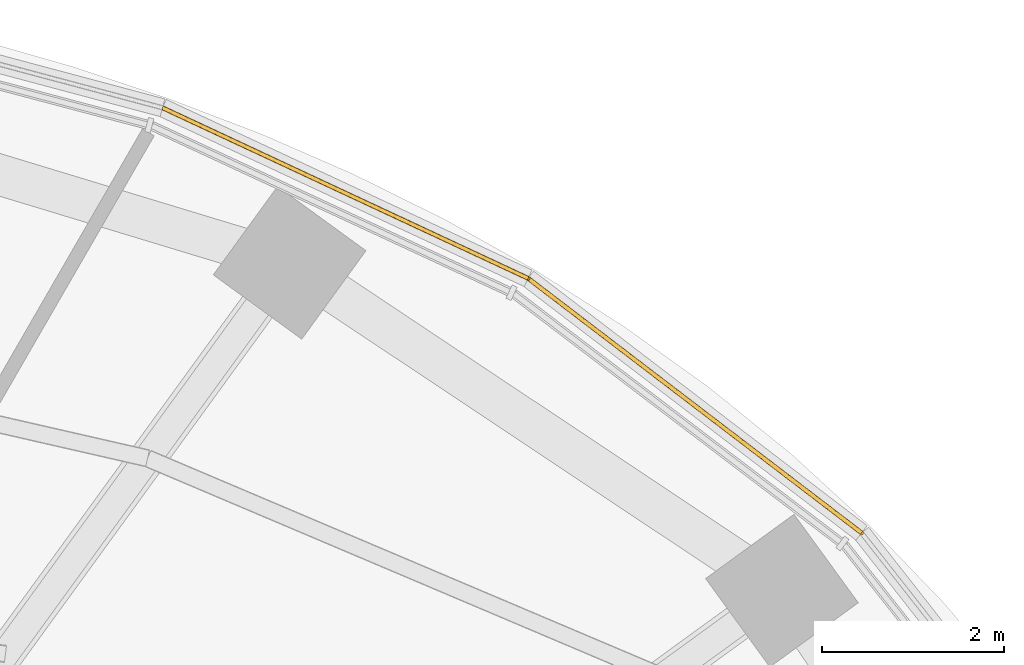
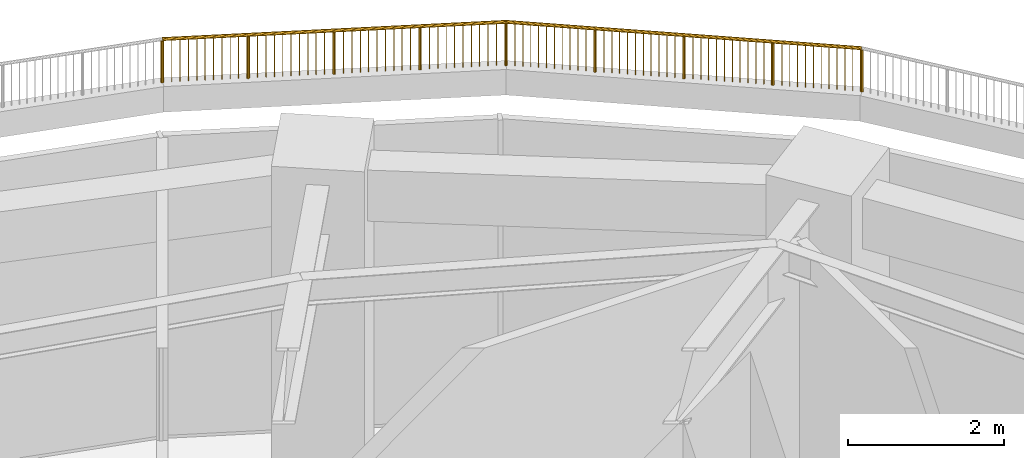
# One storey, part 19 of 19: 2 railings.
"""IFC4 building model written with IfcOpenShell, lengths in metres."""

from ifc_helpers import new_model, si_unit, direction, frame, origin, origin_2d, place, context, subcontext, project, spatial, circle, extrude, material, type_object, element, save


model = new_model("IFC4")

# Units and contexts
model_context = context("Model", 3, precision=1e-05, world=origin(), true_north=direction((0.0, 1.0)))
body_context = subcontext(model_context, "Body", "Model", "MODEL_VIEW")
ifc_project = project(units=[si_unit("LENGTHUNIT", "METRE"), si_unit("AREAUNIT", "SQUARE_METRE"), si_unit("VOLUMEUNIT", "CUBIC_METRE"), si_unit("PLANEANGLEUNIT", "RADIAN"), si_unit("MASSUNIT", "GRAM", prefix="KILO")], contexts=[model_context])

# Site, building, storey
site_placement = place(None, origin())
site = spatial("IfcSite", under=ifc_project, at=site_placement, CompositionType="ELEMENT")
building_placement = place(site_placement, origin())
building = spatial("IfcBuilding", under=site, at=building_placement, Name="Marramba Exchange Tower", CompositionType="ELEMENT")
storey_placement = place(building_placement, frame((0.0, 0.0, 277.0)))
storey = spatial("IfcBuildingStorey", under=building, at=storey_placement, Name="L67", CompositionType="ELEMENT", Elevation=277.0)

# Railings
ifc_material = material(Name="Galvanised steel guardrail", Category="steel")
railing_type = type_object("IfcRailingType", Name="Roof guardrail 1100", PredefinedType="GUARDRAIL", material=ifc_material)
railing_1_placement = place(storey_placement, frame((17.859375, 12.9755859375, 5.39990234375)))
element("IfcRailing", 1, at=railing_1_placement, inside=storey, type_object=railing_type, Name="Roof guard Roof crown F04", PredefinedType="GUARDRAIL", context=body_context, shape_type="SweptSolid", body=[
    extrude(circle(Radius=0.02392578125, at=origin_2d()), frame((0.0, 0.0, 0.67578125), z_axis=(-0.794855686591, 0.606798514743, 0.0), x_axis=(-0.606798514743, -0.794855686591, 0.0)), (0.0, 0.0, 1.0), 4.604736328125),
    extrude(circle(Radius=0.02099609375, at=origin_2d()), origin(), (0.0, 0.0, 1.0), 0.65185546875),
    extrude(circle(Radius=0.02099609375, at=origin_2d()), frame((-0.9150390625, 0.698486328125, 0.0)), (0.0, 0.0, 1.0), 0.65185546875),
    extrude(circle(Radius=0.02099609375, at=origin_2d()), frame((-1.830078125, 1.39697265625, 0.0)), (0.0, 0.0, 1.0), 0.65185546875),
    extrude(circle(Radius=0.02099609375, at=origin_2d()), frame((-2.7451171875, 2.095703125, 0.0)), (0.0, 0.0, 1.0), 0.65185546875),
    extrude(circle(Radius=0.02099609375, at=origin_2d()), frame((-3.66015625, 2.794189453125, 0.0)), (0.0, 0.0, 1.0), 0.65185546875),
    extrude(circle(Radius=0.006103515625, at=origin_2d()), frame((-0.093017578125, 0.071044921875, 0.0)), (0.0, 0.0, 1.0), 0.65185546875),
    extrude(circle(Radius=0.006103515625, at=origin_2d()), frame((-0.174072265625, 0.1328125, 0.0)), (0.0, 0.0, 1.0), 0.65185546875),
    extrude(circle(Radius=0.006103515625, at=origin_2d()), frame((-0.2548828125, 0.194580078125, 0.0)), (0.0, 0.0, 1.0), 0.65185546875),
    extrude(circle(Radius=0.006103515625, at=origin_2d()), frame((-0.3359375, 0.256591796875, 0.0)), (0.0, 0.0, 1.0), 0.65185546875),
    extrude(circle(Radius=0.006103515625, at=origin_2d()), frame((-0.4169921875, 0.318359375, 0.0)), (0.0, 0.0, 1.0), 0.65185546875),
    extrude(circle(Radius=0.006103515625, at=origin_2d()), frame((-0.498046875, 0.380126953125, 0.0)), (0.0, 0.0, 1.0), 0.65185546875),
    extrude(circle(Radius=0.006103515625, at=origin_2d()), frame((-0.5791015625, 0.442138671875, 0.0)), (0.0, 0.0, 1.0), 0.65185546875),
    extrude(circle(Radius=0.006103515625, at=origin_2d()), frame((-0.66015625, 0.50390625, 0.0)), (0.0, 0.0, 1.0), 0.65185546875),
    extrude(circle(Radius=0.006103515625, at=origin_2d()), frame((-0.740966796875, 0.565673828125, 0.0)), (0.0, 0.0, 1.0), 0.65185546875),
    extrude(circle(Radius=0.006103515625, at=origin_2d()), frame((-0.822021484375, 0.627685546875, 0.0)), (0.0, 0.0, 1.0), 0.65185546875),
    extrude(circle(Radius=0.006103515625, at=origin_2d()), frame((-1.008056640625, 0.76953125, 0.0)), (0.0, 0.0, 1.0), 0.65185546875),
    extrude(circle(Radius=0.006103515625, at=origin_2d()), frame((-1.089111328125, 0.831298828125, 0.0)), (0.0, 0.0, 1.0), 0.65185546875),
    extrude(circle(Radius=0.006103515625, at=origin_2d()), frame((-1.169921875, 0.893310546875, 0.0)), (0.0, 0.0, 1.0), 0.65185546875),
    extrude(circle(Radius=0.006103515625, at=origin_2d()), frame((-1.2509765625, 0.955078125, 0.0)), (0.0, 0.0, 1.0), 0.65185546875),
    extrude(circle(Radius=0.006103515625, at=origin_2d()), frame((-1.33203125, 1.016845703125, 0.0)), (0.0, 0.0, 1.0), 0.65185546875),
    extrude(circle(Radius=0.006103515625, at=origin_2d()), frame((-1.4130859375, 1.078857421875, 0.0)), (0.0, 0.0, 1.0), 0.65185546875),
    extrude(circle(Radius=0.006103515625, at=origin_2d()), frame((-1.494140625, 1.140625, 0.0)), (0.0, 0.0, 1.0), 0.65185546875),
    extrude(circle(Radius=0.006103515625, at=origin_2d()), frame((-1.5751953125, 1.202392578125, 0.0)), (0.0, 0.0, 1.0), 0.65185546875),
    extrude(circle(Radius=0.006103515625, at=origin_2d()), frame((-1.656005859375, 1.264404296875, 0.0)), (0.0, 0.0, 1.0), 0.65185546875),
    extrude(circle(Radius=0.006103515625, at=origin_2d()), frame((-1.737060546875, 1.326171875, 0.0)), (0.0, 0.0, 1.0), 0.65185546875),
    extrude(circle(Radius=0.006103515625, at=origin_2d()), frame((-1.923095703125, 1.468017578125, 0.0)), (0.0, 0.0, 1.0), 0.65185546875),
    extrude(circle(Radius=0.006103515625, at=origin_2d()), frame((-2.004150390625, 1.52978515625, 0.0)), (0.0, 0.0, 1.0), 0.65185546875),
    extrude(circle(Radius=0.006103515625, at=origin_2d()), frame((-2.0849609375, 1.591796875, 0.0)), (0.0, 0.0, 1.0), 0.65185546875),
    extrude(circle(Radius=0.006103515625, at=origin_2d()), frame((-2.166015625, 1.653564453125, 0.0)), (0.0, 0.0, 1.0), 0.65185546875),
    extrude(circle(Radius=0.006103515625, at=origin_2d()), frame((-2.2470703125, 1.71533203125, 0.0)), (0.0, 0.0, 1.0), 0.65185546875),
    extrude(circle(Radius=0.006103515625, at=origin_2d()), frame((-2.328125, 1.77734375, 0.0)), (0.0, 0.0, 1.0), 0.65185546875),
    extrude(circle(Radius=0.006103515625, at=origin_2d()), frame((-2.4091796875, 1.839111328125, 0.0)), (0.0, 0.0, 1.0), 0.65185546875),
    extrude(circle(Radius=0.006103515625, at=origin_2d()), frame((-2.490234375, 1.90087890625, 0.0)), (0.0, 0.0, 1.0), 0.65185546875),
    extrude(circle(Radius=0.006103515625, at=origin_2d()), frame((-2.571044921875, 1.962890625, 0.0)), (0.0, 0.0, 1.0), 0.65185546875),
    extrude(circle(Radius=0.006103515625, at=origin_2d()), frame((-2.652099609375, 2.024658203125, 0.0)), (0.0, 0.0, 1.0), 0.65185546875),
    extrude(circle(Radius=0.006103515625, at=origin_2d()), frame((-2.838134765625, 2.16650390625, 0.0)), (0.0, 0.0, 1.0), 0.65185546875),
    extrude(circle(Radius=0.006103515625, at=origin_2d()), frame((-2.919189453125, 2.228515625, 0.0)), (0.0, 0.0, 1.0), 0.65185546875),
    extrude(circle(Radius=0.006103515625, at=origin_2d()), frame((-3.0, 2.290283203125, 0.0)), (0.0, 0.0, 1.0), 0.65185546875),
    extrude(circle(Radius=0.006103515625, at=origin_2d()), frame((-3.0810546875, 2.35205078125, 0.0)), (0.0, 0.0, 1.0), 0.65185546875),
    extrude(circle(Radius=0.006103515625, at=origin_2d()), frame((-3.162109375, 2.4140625, 0.0)), (0.0, 0.0, 1.0), 0.65185546875),
    extrude(circle(Radius=0.006103515625, at=origin_2d()), frame((-3.2431640625, 2.475830078125, 0.0)), (0.0, 0.0, 1.0), 0.65185546875),
    extrude(circle(Radius=0.006103515625, at=origin_2d()), frame((-3.32421875, 2.53759765625, 0.0)), (0.0, 0.0, 1.0), 0.65185546875),
    extrude(circle(Radius=0.006103515625, at=origin_2d()), frame((-3.4052734375, 2.599609375, 0.0)), (0.0, 0.0, 1.0), 0.65185546875),
    extrude(circle(Radius=0.006103515625, at=origin_2d()), frame((-3.486083984375, 2.661376953125, 0.0)), (0.0, 0.0, 1.0), 0.65185546875),
    extrude(circle(Radius=0.006103515625, at=origin_2d()), frame((-3.567138671875, 2.72314453125, 0.0)), (0.0, 0.0, 1.0), 0.65185546875),
])
railing_2_placement = place(storey_placement, frame((14.19921875, 15.769775390625, 5.39990234375)))
element("IfcRailing", 2, at=railing_2_placement, inside=storey, type_object=railing_type, Name="Roof guard Roof crown F05", PredefinedType="GUARDRAIL", context=body_context, shape_type="SweptSolid", body=[
    extrude(circle(Radius=0.02392578125, at=origin_2d()), frame((0.0, 0.0, 0.67578125), z_axis=(-0.906246502857, 0.422749661217, 0.0), x_axis=(-0.422749661217, -0.906246502857, 0.0)), (0.0, 0.0, 1.0), 4.428955078125),
    extrude(circle(Radius=0.02099609375, at=origin_2d()), origin(), (0.0, 0.0, 1.0), 0.65185546875),
    extrude(circle(Radius=0.02099609375, at=origin_2d()), frame((-1.00341796875, 0.468017578125, 0.0)), (0.0, 0.0, 1.0), 0.65185546875),
    extrude(circle(Radius=0.02099609375, at=origin_2d()), frame((-2.0068359375, 0.93603515625, 0.0)), (0.0, 0.0, 1.0), 0.65185546875),
    extrude(circle(Radius=0.02099609375, at=origin_2d()), frame((-3.01025390625, 1.404296875, 0.0)), (0.0, 0.0, 1.0), 0.65185546875),
    extrude(circle(Radius=0.02099609375, at=origin_2d()), frame((-4.013671875, 1.872314453125, 0.0)), (0.0, 0.0, 1.0), 0.65185546875),
    extrude(circle(Radius=0.006103515625, at=origin_2d()), frame((-0.111328125, 0.0517578125, 0.0)), (0.0, 0.0, 1.0), 0.65185546875),
    extrude(circle(Radius=0.006103515625, at=origin_2d()), frame((-0.208740234375, 0.097412109375, 0.0)), (0.0, 0.0, 1.0), 0.65185546875),
    extrude(circle(Radius=0.006103515625, at=origin_2d()), frame((-0.306396484375, 0.14306640625, 0.0)), (0.0, 0.0, 1.0), 0.65185546875),
    extrude(circle(Radius=0.006103515625, at=origin_2d()), frame((-0.404052734375, 0.1884765625, 0.0)), (0.0, 0.0, 1.0), 0.65185546875),
    extrude(circle(Radius=0.006103515625, at=origin_2d()), frame((-0.501708984375, 0.234130859375, 0.0)), (0.0, 0.0, 1.0), 0.65185546875),
    extrude(circle(Radius=0.006103515625, at=origin_2d()), frame((-0.599365234375, 0.279541015625, 0.0)), (0.0, 0.0, 1.0), 0.65185546875),
    extrude(circle(Radius=0.006103515625, at=origin_2d()), frame((-0.697021484375, 0.3251953125, 0.0)), (0.0, 0.0, 1.0), 0.65185546875),
    extrude(circle(Radius=0.006103515625, at=origin_2d()), frame((-0.794677734375, 0.37060546875, 0.0)), (0.0, 0.0, 1.0), 0.65185546875),
    extrude(circle(Radius=0.006103515625, at=origin_2d()), frame((-0.89208984375, 0.416259765625, 0.0)), (0.0, 0.0, 1.0), 0.65185546875),
    extrude(circle(Radius=0.006103515625, at=origin_2d()), frame((-1.11474609375, 0.52001953125, 0.0)), (0.0, 0.0, 1.0), 0.65185546875),
    extrude(circle(Radius=0.006103515625, at=origin_2d()), frame((-1.212158203125, 0.5654296875, 0.0)), (0.0, 0.0, 1.0), 0.65185546875),
    extrude(circle(Radius=0.006103515625, at=origin_2d()), frame((-1.309814453125, 0.611083984375, 0.0)), (0.0, 0.0, 1.0), 0.65185546875),
    extrude(circle(Radius=0.006103515625, at=origin_2d()), frame((-1.407470703125, 0.656494140625, 0.0)), (0.0, 0.0, 1.0), 0.65185546875),
    extrude(circle(Radius=0.006103515625, at=origin_2d()), frame((-1.505126953125, 0.7021484375, 0.0)), (0.0, 0.0, 1.0), 0.65185546875),
    extrude(circle(Radius=0.006103515625, at=origin_2d()), frame((-1.602783203125, 0.74755859375, 0.0)), (0.0, 0.0, 1.0), 0.65185546875),
    extrude(circle(Radius=0.006103515625, at=origin_2d()), frame((-1.700439453125, 0.793212890625, 0.0)), (0.0, 0.0, 1.0), 0.65185546875),
    extrude(circle(Radius=0.006103515625, at=origin_2d()), frame((-1.798095703125, 0.838623046875, 0.0)), (0.0, 0.0, 1.0), 0.65185546875),
    extrude(circle(Radius=0.006103515625, at=origin_2d()), frame((-1.8955078125, 0.88427734375, 0.0)), (0.0, 0.0, 1.0), 0.65185546875),
    extrude(circle(Radius=0.006103515625, at=origin_2d()), frame((-2.1181640625, 0.988037109375, 0.0)), (0.0, 0.0, 1.0), 0.65185546875),
    extrude(circle(Radius=0.006103515625, at=origin_2d()), frame((-2.215576171875, 1.03369140625, 0.0)), (0.0, 0.0, 1.0), 0.65185546875),
    extrude(circle(Radius=0.006103515625, at=origin_2d()), frame((-2.313232421875, 1.0791015625, 0.0)), (0.0, 0.0, 1.0), 0.65185546875),
    extrude(circle(Radius=0.006103515625, at=origin_2d()), frame((-2.410888671875, 1.124755859375, 0.0)), (0.0, 0.0, 1.0), 0.65185546875),
    extrude(circle(Radius=0.006103515625, at=origin_2d()), frame((-2.508544921875, 1.170166015625, 0.0)), (0.0, 0.0, 1.0), 0.65185546875),
    extrude(circle(Radius=0.006103515625, at=origin_2d()), frame((-2.606201171875, 1.2158203125, 0.0)), (0.0, 0.0, 1.0), 0.65185546875),
    extrude(circle(Radius=0.006103515625, at=origin_2d()), frame((-2.703857421875, 1.26123046875, 0.0)), (0.0, 0.0, 1.0), 0.65185546875),
    extrude(circle(Radius=0.006103515625, at=origin_2d()), frame((-2.801513671875, 1.306884765625, 0.0)), (0.0, 0.0, 1.0), 0.65185546875),
    extrude(circle(Radius=0.006103515625, at=origin_2d()), frame((-2.89892578125, 1.352294921875, 0.0)), (0.0, 0.0, 1.0), 0.65185546875),
    extrude(circle(Radius=0.006103515625, at=origin_2d()), frame((-3.12158203125, 1.4560546875, 0.0)), (0.0, 0.0, 1.0), 0.65185546875),
    extrude(circle(Radius=0.006103515625, at=origin_2d()), frame((-3.218994140625, 1.501708984375, 0.0)), (0.0, 0.0, 1.0), 0.65185546875),
    extrude(circle(Radius=0.006103515625, at=origin_2d()), frame((-3.316650390625, 1.547119140625, 0.0)), (0.0, 0.0, 1.0), 0.65185546875),
    extrude(circle(Radius=0.006103515625, at=origin_2d()), frame((-3.414306640625, 1.5927734375, 0.0)), (0.0, 0.0, 1.0), 0.65185546875),
    extrude(circle(Radius=0.006103515625, at=origin_2d()), frame((-3.511962890625, 1.63818359375, 0.0)), (0.0, 0.0, 1.0), 0.65185546875),
    extrude(circle(Radius=0.006103515625, at=origin_2d()), frame((-3.609619140625, 1.683837890625, 0.0)), (0.0, 0.0, 1.0), 0.65185546875),
    extrude(circle(Radius=0.006103515625, at=origin_2d()), frame((-3.707275390625, 1.729248046875, 0.0)), (0.0, 0.0, 1.0), 0.65185546875),
    extrude(circle(Radius=0.006103515625, at=origin_2d()), frame((-3.804931640625, 1.77490234375, 0.0)), (0.0, 0.0, 1.0), 0.65185546875),
    extrude(circle(Radius=0.006103515625, at=origin_2d()), frame((-3.90234375, 1.820556640625, 0.0)), (0.0, 0.0, 1.0), 0.65185546875),
])

save(model, "model.ifc")
